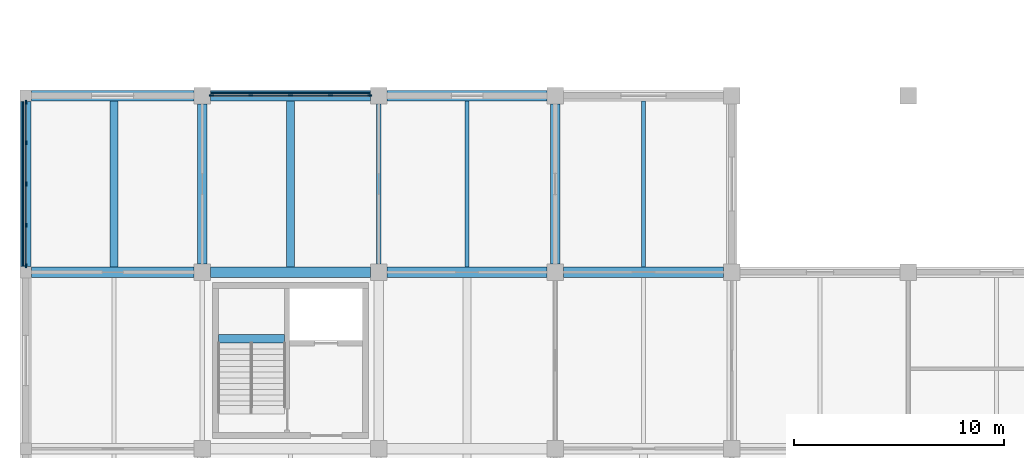
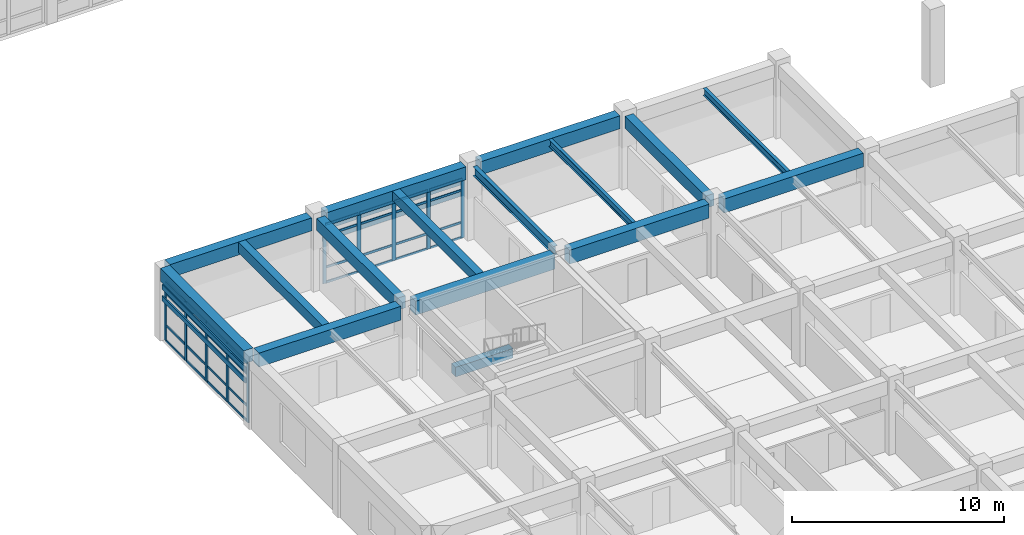
# One storey, part 21 of 99: 46 members, 16 beams, 2 elements without a shape of their own.
"""IFC4 building model written with IfcOpenShell, lengths in metres."""

from ifc_helpers import new_model, si_unit, direction, frame, origin, origin_2d, place, context, subcontext, project, spatial, rectangle, i_section, extrude, material, layer, layer_set, material_profile, profile_set, type_object, element, aggregate, save


model = new_model("IFC4")

# Units and contexts
model_context = context("Model", 3, precision=1e-05, world=origin(), true_north=direction((0.0, 1.0)))
body_context = subcontext(model_context, "Body", "Model", "MODEL_VIEW")
ifc_project = project(units=[si_unit("LENGTHUNIT", "METRE"), si_unit("AREAUNIT", "SQUARE_METRE"), si_unit("VOLUMEUNIT", "CUBIC_METRE"), si_unit("PLANEANGLEUNIT", "RADIAN"), si_unit("MASSUNIT", "GRAM", prefix="KILO")], contexts=[model_context])

# Site, building, storey
site_placement = place(None, origin())
site = spatial("IfcSite", under=ifc_project, at=site_placement, CompositionType="ELEMENT")
building_placement = place(site_placement, origin())
building = spatial("IfcBuilding", under=site, at=building_placement, Name="Porcellanite Civic Hall", CompositionType="ELEMENT")
storey_placement = place(building_placement, frame((0.0, 0.0, 5.760009765625)))
storey = spatial("IfcBuildingStorey", under=building, at=storey_placement, Name="L01", CompositionType="ELEMENT", Elevation=5.760009765625)

# Beams
ifc_material_1 = material(Name="Concrete N50 (50 MPa)", Category="concrete")
ifc_material_profile_1 = material_profile(ifc_material_1, rectangle(XDim=0.39990234375, YDim=0.550048828125, at=origin_2d()), Name="RC-400x550")
ifc_profile_set_1 = profile_set([ifc_material_profile_1], Name="Concrete N50 (50 MPa)")
beam_type_1 = type_object("IfcBeamType", Name="BM-RC550", PredefinedType="JOIST", material=ifc_profile_set_1)
beam_1_placement = place(storey_placement, frame((12.60009765625, 67.449462890625, 3.925048828125), z_axis=(0.0, 1.0, 0.0), x_axis=(-1.0, 0.0, 0.0)))
element("IfcBeam", 1, at=beam_1_placement, inside=storey, type_object=beam_type_1, Name="Secondary joist L01 2-9", PredefinedType="JOIST", context=body_context, shape_type="SweptSolid", body=[
    extrude(rectangle(XDim=0.39990234375, YDim=0.550048828125, at=origin_2d()), origin(), (0.0, 0.0, 1.0), 7.901123046875),
])
beam_2_placement = place(storey_placement, frame((9.180419921875, 64.02490234375, 1.885009765625), z_axis=(1.0, 0.0, 0.0), x_axis=(0.0, 1.0, 0.0)))
element("IfcBeam", 2, at=beam_2_placement, inside=storey, type_object=beam_type_1, Name="Stair landing beam C2 L01", PredefinedType="JOIST", context=body_context, shape_type="SweptSolid", body=[
    extrude(rectangle(XDim=0.39990234375, YDim=0.550048828125, at=origin_2d()), origin(), (0.0, 0.0, 1.0), 3.13916015625),
])
ifc_material_2 = material(Name="Concrete N50 (50 MPa)", Category="concrete")
ifc_material_profile_2 = material_profile(ifc_material_2, rectangle(XDim=0.39990234375, YDim=0.60009765625, at=origin_2d()), Name="RC-400x600")
ifc_profile_set_2 = profile_set([ifc_material_profile_2], Name="Concrete N50 (50 MPa)")
beam_type_2 = type_object("IfcBeamType", Name="BM-RC600", PredefinedType="JOIST", material=ifc_profile_set_2)
beam_3_placement = place(storey_placement, frame((4.199951171875, 67.449462890625, 3.89990234375), z_axis=(0.0, 1.0, 0.0), x_axis=(-1.0, 0.0, 0.0)))
element("IfcBeam", 3, at=beam_3_placement, inside=storey, type_object=beam_type_2, Name="Secondary joist L01 1-9", PredefinedType="JOIST", context=body_context, shape_type="SweptSolid", body=[
    extrude(rectangle(XDim=0.39990234375, YDim=0.60009765625, at=origin_2d()), origin(), (0.0, 0.0, 1.0), 7.901123046875),
])
ifc_material_3 = material(Name="Concrete N50 (50 MPa)", Category="concrete")
ifc_material_profile_3 = material_profile(ifc_material_3, rectangle(XDim=0.449951171875, YDim=0.699951171875, at=origin_2d()), Name="RC-450x700")
ifc_profile_set_3 = profile_set([ifc_material_profile_3], Name="Concrete N50 (50 MPa)")
beam_type_3 = type_object("IfcBeamType", Name="BM-RC700", PredefinedType="BEAM", material=ifc_profile_set_3)
for number, where, z_axis, x_axis, name in (
    (4, (8.39990234375, 67.599609375, 3.85009765625), (0.0, 1.0, 0.0), (-1.0, 0.0, 0.0), "Beam Y L01 2-9"),
    (5, (25.199951171875, 67.599609375, 3.85009765625), (0.0, 1.0, 0.0), (-1.0, 0.0, 0.0), "Beam Y L01 4-9"),
):
    element("IfcBeam", number, at=place(storey_placement, frame(where, z_axis=z_axis, x_axis=x_axis)), inside=storey, type_object=beam_type_3, Name=name, PredefinedType="BEAM", context=body_context, shape_type="SweptSolid", body=[
        extrude(rectangle(XDim=0.449951171875, YDim=0.699951171875, at=origin_2d()), origin(), (0.0, 0.0, 1.0), 7.600830078125),
    ])
ifc_material_4 = material(Name="Concrete N50 (50 MPa)", Category="concrete")
ifc_material_profile_4 = material_profile(ifc_material_4, rectangle(XDim=0.5, YDim=0.75, at=origin_2d()), Name="RC-500x750")
ifc_profile_set_4 = profile_set([ifc_material_profile_4], Name="Concrete N50 (50 MPa)")
beam_type_4 = type_object("IfcBeamType", Name="BM-RC750", PredefinedType="SPANDREL", material=ifc_profile_set_4)
beam_4_placement = place(storey_placement, frame((0.2744140625, 75.60009765625, 3.824951171875), z_axis=(1.0, 0.0, 0.0), x_axis=(0.0, 1.0, 0.0)))
element("IfcBeam", 6, at=beam_4_placement, inside=storey, type_object=beam_type_4, Name="Beam X L01 1-10", PredefinedType="SPANDREL", context=body_context, shape_type="SweptSolid", body=[
    extrude(rectangle(XDim=0.5, YDim=0.75, at=origin_2d()), origin(), (0.0, 0.0, 1.0), 7.72607421875),
])
beam_5_placement = place(storey_placement, frame((8.799560546875, 75.60009765625, 3.824951171875), z_axis=(1.0, 0.0, 0.0), x_axis=(0.0, 1.0, 0.0)))
element("IfcBeam", 7, at=beam_5_placement, inside=storey, type_object=beam_type_4, Name="Beam X L01 2-10", PredefinedType="SPANDREL", context=body_context, shape_type="SweptSolid", body=[
    extrude(rectangle(XDim=0.5, YDim=0.75, at=origin_2d()), origin(), (0.0, 0.0, 1.0), 7.600830078125),
])
beam_6_placement = place(storey_placement, frame((17.199462890625, 75.60009765625, 3.824951171875), z_axis=(1.0, 0.0, 0.0), x_axis=(0.0, 1.0, 0.0)))
element("IfcBeam", 8, at=beam_6_placement, inside=storey, type_object=beam_type_4, Name="Beam X L01 3-10", PredefinedType="SPANDREL", context=body_context, shape_type="SweptSolid", body=[
    extrude(rectangle(XDim=0.5, YDim=0.75, at=origin_2d()), origin(), (0.0, 0.0, 1.0), 7.60107421875),
])
beam_7_placement = place(storey_placement, frame((0.0, 67.474609375, 3.824951171875), z_axis=(0.0, 1.0, 0.0), x_axis=(-1.0, 0.0, 0.0)))
element("IfcBeam", 9, at=beam_7_placement, inside=storey, type_object=beam_type_4, Name="Beam Y L01 1-9", PredefinedType="SPANDREL", context=body_context, shape_type="SweptSolid", body=[
    extrude(rectangle(XDim=0.5, YDim=0.75, at=origin_2d()), origin(), (0.0, 0.0, 1.0), 7.850830078125),
])
ifc_material_5 = material(Name="Concrete N50 (50 MPa)", Category="concrete")
ifc_material_profile_5 = material_profile(ifc_material_5, rectangle(XDim=0.5, YDim=0.800048828125, at=origin_2d()), Name="RC-500x800")
ifc_profile_set_5 = profile_set([ifc_material_profile_5], Name="Concrete N50 (50 MPa)")
beam_type_5 = type_object("IfcBeamType", Name="BM-RC800", PredefinedType="BEAM", material=ifc_profile_set_5)
beam_8_placement = place(storey_placement, frame((0.2744140625, 67.199951171875, 3.800048828125), z_axis=(1.0, 0.0, 0.0), x_axis=(0.0, 1.0, 0.0)))
element("IfcBeam", 10, at=beam_8_placement, inside=storey, type_object=beam_type_5, Name="Beam X L01 1-9", PredefinedType="BEAM", context=body_context, shape_type="SweptSolid", body=[
    extrude(rectangle(XDim=0.5, YDim=0.800048828125, at=origin_2d()), origin(), (0.0, 0.0, 1.0), 7.72607421875),
])
beam_9_placement = place(storey_placement, frame((8.799560546875, 67.199951171875, 3.800048828125), z_axis=(1.0, 0.0, 0.0), x_axis=(0.0, 1.0, 0.0)))
element("IfcBeam", 11, at=beam_9_placement, inside=storey, type_object=beam_type_5, Name="Beam X L01 2-9", PredefinedType="BEAM", context=body_context, shape_type="SweptSolid", body=[
    extrude(rectangle(XDim=0.5, YDim=0.800048828125, at=origin_2d()), origin(), (0.0, 0.0, 1.0), 7.600830078125),
])
beam_10_placement = place(storey_placement, frame((17.199462890625, 67.199951171875, 3.800048828125), z_axis=(1.0, 0.0, 0.0), x_axis=(0.0, 1.0, 0.0)))
element("IfcBeam", 12, at=beam_10_placement, inside=storey, type_object=beam_type_5, Name="Beam X L01 3-9", PredefinedType="BEAM", context=body_context, shape_type="SweptSolid", body=[
    extrude(rectangle(XDim=0.5, YDim=0.800048828125, at=origin_2d()), origin(), (0.0, 0.0, 1.0), 7.60107421875),
])
beam_11_placement = place(storey_placement, frame((25.599609375, 67.199951171875, 3.800048828125), z_axis=(1.0, 0.0, 0.0), x_axis=(0.0, 1.0, 0.0)))
element("IfcBeam", 13, at=beam_11_placement, inside=storey, type_object=beam_type_5, Name="Beam X L01 4-9", PredefinedType="BEAM", context=body_context, shape_type="SweptSolid", body=[
    extrude(rectangle(XDim=0.5, YDim=0.800048828125, at=origin_2d()), origin(), (0.0, 0.0, 1.0), 7.600830078125),
])

# Curtain wall, members
ifc_material_6 = material(Name="Anodised aluminium and solar laminated glass", Category="aluminium")
ifc_layer = layer(ifc_material_6, 0.179931640625)
ifc_layer_set = layer_set([ifc_layer], Name="Anodised aluminium and solar laminated glass")
curtain_wall_type = type_object("IfcCurtainWallType", Name="CW-SYS05", PredefinedType="NOTDEFINED", material=ifc_layer_set)
curtain_wall_1_placement = place(storey_placement, origin())
curtain_wall_1 = element("IfcCurtainWall", 14, at=curtain_wall_1_placement, inside=storey, type_object=curtain_wall_type, Name="Curtain wall CW-063", PredefinedType="NOTDEFINED")
ifc_material_7 = material(Name="Anodised aluminium 6063-T6", Category="aluminium")
ifc_material_profile_6 = material_profile(ifc_material_7, rectangle(XDim=0.070068359375, YDim=0.199951171875, at=origin_2d()), Name="AL-70x200")
ifc_profile_set_6 = profile_set([ifc_material_profile_6], Name="Anodised aluminium 6063-T6")
member_type_1 = type_object("IfcMemberType", Name="CWM-05", PredefinedType="MULLION", material=ifc_profile_set_6)
member_1_placement = place(storey_placement, frame((0.0, 67.510986328125, 0.0), z_axis=(0.0, 0.0, 1.0), x_axis=(-1.0, 0.0, 0.0)))
member_1 = element("IfcMember", 15, at=member_1_placement, type_object=member_type_1, Name="CW-063 mullion 1", PredefinedType="MULLION", context=body_context, shape_type="SweptSolid", body=[
    extrude(rectangle(XDim=0.070068359375, YDim=0.199951171875, at=origin_2d()), origin(), (0.0, 0.0, 1.0), 3.39990234375),
])
member_2_placement = place(storey_placement, frame((0.0, 69.43798828125, 0.0), z_axis=(0.0, 0.0, 1.0), x_axis=(-1.0, 0.0, 0.0)))
member_2 = element("IfcMember", 16, at=member_2_placement, type_object=member_type_1, Name="CW-063 mullion 2", PredefinedType="MULLION", context=body_context, shape_type="SweptSolid", body=[
    extrude(rectangle(XDim=0.070068359375, YDim=0.199951171875, at=origin_2d()), origin(), (0.0, 0.0, 1.0), 3.39990234375),
])
member_3_placement = place(storey_placement, frame((0.0, 71.39990234375, 0.0), z_axis=(0.0, 0.0, 1.0), x_axis=(-1.0, 0.0, 0.0)))
member_3 = element("IfcMember", 17, at=member_3_placement, type_object=member_type_1, Name="CW-063 mullion 3", PredefinedType="MULLION", context=body_context, shape_type="SweptSolid", body=[
    extrude(rectangle(XDim=0.070068359375, YDim=0.199951171875, at=origin_2d()), origin(), (0.0, 0.0, 1.0), 3.39990234375),
])
member_4_placement = place(storey_placement, frame((0.0, 73.362060546875, 0.0), z_axis=(0.0, 0.0, 1.0), x_axis=(-1.0, 0.0, 0.0)))
member_4 = element("IfcMember", 18, at=member_4_placement, type_object=member_type_1, Name="CW-063 mullion 4", PredefinedType="MULLION", context=body_context, shape_type="SweptSolid", body=[
    extrude(rectangle(XDim=0.070068359375, YDim=0.199951171875, at=origin_2d()), origin(), (0.0, 0.0, 1.0), 3.39990234375),
])
member_5_placement = place(storey_placement, frame((0.0, 75.2890625, 0.0), z_axis=(0.0, 0.0, 1.0), x_axis=(-1.0, 0.0, 0.0)))
member_5 = element("IfcMember", 19, at=member_5_placement, type_object=member_type_1, Name="CW-063 mullion 5", PredefinedType="MULLION", context=body_context, shape_type="SweptSolid", body=[
    extrude(rectangle(XDim=0.070068359375, YDim=0.199951171875, at=origin_2d()), origin(), (0.0, 0.0, 1.0), 3.39990234375),
])

curtain_wall_2_placement = place(storey_placement, origin())
curtain_wall_2 = element("IfcCurtainWall", 20, at=curtain_wall_2_placement, inside=storey, type_object=curtain_wall_type, Name="Curtain wall CW-066", PredefinedType="NOTDEFINED")
member_6_placement = place(storey_placement, frame((8.8359375, 75.60009765625, 0.0), z_axis=(0.0, 0.0, 1.0), x_axis=(0.0, 1.0, 0.0)))
member_6 = element("IfcMember", 21, at=member_6_placement, type_object=member_type_1, Name="CW-066 mullion 1", PredefinedType="MULLION", context=body_context, shape_type="SweptSolid", body=[
    extrude(rectangle(XDim=0.070068359375, YDim=0.199951171875, at=origin_2d()), origin(), (0.0, 0.0, 1.0), 3.39990234375),
])
member_7_placement = place(storey_placement, frame((10.700439453125, 75.60009765625, 0.0), z_axis=(0.0, 0.0, 1.0), x_axis=(0.0, 1.0, 0.0)))
member_7 = element("IfcMember", 22, at=member_7_placement, type_object=member_type_1, Name="CW-066 mullion 2", PredefinedType="MULLION", context=body_context, shape_type="SweptSolid", body=[
    extrude(rectangle(XDim=0.070068359375, YDim=0.199951171875, at=origin_2d()), origin(), (0.0, 0.0, 1.0), 3.39990234375),
])
member_8_placement = place(storey_placement, frame((12.60009765625, 75.60009765625, 0.0), z_axis=(0.0, 0.0, 1.0), x_axis=(0.0, 1.0, 0.0)))
member_8 = element("IfcMember", 23, at=member_8_placement, type_object=member_type_1, Name="CW-066 mullion 3", PredefinedType="MULLION", context=body_context, shape_type="SweptSolid", body=[
    extrude(rectangle(XDim=0.070068359375, YDim=0.199951171875, at=origin_2d()), origin(), (0.0, 0.0, 1.0), 3.39990234375),
])
member_9_placement = place(storey_placement, frame((14.49951171875, 75.60009765625, 0.0), z_axis=(0.0, 0.0, 1.0), x_axis=(0.0, 1.0, 0.0)))
member_9 = element("IfcMember", 24, at=member_9_placement, type_object=member_type_1, Name="CW-066 mullion 4", PredefinedType="MULLION", context=body_context, shape_type="SweptSolid", body=[
    extrude(rectangle(XDim=0.070068359375, YDim=0.199951171875, at=origin_2d()), origin(), (0.0, 0.0, 1.0), 3.39990234375),
])
member_10_placement = place(storey_placement, frame((16.364013671875, 75.60009765625, 0.0), z_axis=(0.0, 0.0, 1.0), x_axis=(0.0, 1.0, 0.0)))
member_10 = element("IfcMember", 25, at=member_10_placement, type_object=member_type_1, Name="CW-066 mullion 5", PredefinedType="MULLION", context=body_context, shape_type="SweptSolid", body=[
    extrude(rectangle(XDim=0.070068359375, YDim=0.199951171875, at=origin_2d()), origin(), (0.0, 0.0, 1.0), 3.39990234375),
])

# Member
ifc_material_8 = material(Name="Anodised aluminium 6063-T6", Category="aluminium")
ifc_material_profile_7 = material_profile(ifc_material_8, rectangle(XDim=0.06005859375, YDim=0.1298828125, at=origin_2d()), Name="AL-60x130")
ifc_profile_set_7 = profile_set([ifc_material_profile_7], Name="Anodised aluminium 6063-T6")
member_type_2 = type_object("IfcMemberType", Name="CWT-03", PredefinedType="USERDEFINED", material=ifc_profile_set_7)
member_11_placement = place(storey_placement, frame((0.0, 67.5458984375, 0.030029296875), z_axis=(0.0, 1.0, 0.0), x_axis=(-1.0, 0.0, 0.0)))
member_11 = element("IfcMember", 26, at=member_11_placement, type_object=member_type_2, Name="CW-063 transom 1.1", ObjectType="TRANSOM", PredefinedType="USERDEFINED", context=body_context, shape_type="SweptSolid", body=[
    extrude(rectangle(XDim=0.06005859375, YDim=0.1298828125, at=origin_2d()), origin(), (0.0, 0.0, 1.0), 1.857177734375),
])

member_12_placement = place(storey_placement, frame((0.0, 67.5458984375, 0.89990234375), z_axis=(0.0, 1.0, 0.0), x_axis=(-1.0, 0.0, 0.0)))
member_12 = element("IfcMember", 27, at=member_12_placement, type_object=member_type_2, Name="CW-063 transom 1.2", ObjectType="TRANSOM", PredefinedType="USERDEFINED", context=body_context, shape_type="SweptSolid", body=[
    extrude(rectangle(XDim=0.06005859375, YDim=0.1298828125, at=origin_2d()), origin(), (0.0, 0.0, 1.0), 1.857177734375),
])

member_13_placement = place(storey_placement, frame((0.0, 67.5458984375, 2.75), z_axis=(0.0, 1.0, 0.0), x_axis=(-1.0, 0.0, 0.0)))
member_13 = element("IfcMember", 28, at=member_13_placement, type_object=member_type_2, Name="CW-063 transom 1.3", ObjectType="TRANSOM", PredefinedType="USERDEFINED", context=body_context, shape_type="SweptSolid", body=[
    extrude(rectangle(XDim=0.06005859375, YDim=0.1298828125, at=origin_2d()), origin(), (0.0, 0.0, 1.0), 1.857177734375),
])

member_14_placement = place(storey_placement, frame((0.0, 67.5458984375, 3.369873046875), z_axis=(0.0, 1.0, 0.0), x_axis=(-1.0, 0.0, 0.0)))
member_14 = element("IfcMember", 29, at=member_14_placement, type_object=member_type_2, Name="CW-063 transom 1.4", ObjectType="TRANSOM", PredefinedType="USERDEFINED", context=body_context, shape_type="SweptSolid", body=[
    extrude(rectangle(XDim=0.06005859375, YDim=0.1298828125, at=origin_2d()), origin(), (0.0, 0.0, 1.0), 1.857177734375),
])

member_15_placement = place(storey_placement, frame((0.0, 69.472900390625, 0.030029296875), z_axis=(0.0, 1.0, 0.0), x_axis=(-1.0, 0.0, 0.0)))
member_15 = element("IfcMember", 30, at=member_15_placement, type_object=member_type_2, Name="CW-063 transom 2.1", ObjectType="TRANSOM", PredefinedType="USERDEFINED", context=body_context, shape_type="SweptSolid", body=[
    extrude(rectangle(XDim=0.06005859375, YDim=0.1298828125, at=origin_2d()), origin(), (0.0, 0.0, 1.0), 1.89208984375),
])

member_16_placement = place(storey_placement, frame((0.0, 69.472900390625, 0.89990234375), z_axis=(0.0, 1.0, 0.0), x_axis=(-1.0, 0.0, 0.0)))
member_16 = element("IfcMember", 31, at=member_16_placement, type_object=member_type_2, Name="CW-063 transom 2.2", ObjectType="TRANSOM", PredefinedType="USERDEFINED", context=body_context, shape_type="SweptSolid", body=[
    extrude(rectangle(XDim=0.06005859375, YDim=0.1298828125, at=origin_2d()), origin(), (0.0, 0.0, 1.0), 1.89208984375),
])

member_17_placement = place(storey_placement, frame((0.0, 69.472900390625, 2.75), z_axis=(0.0, 1.0, 0.0), x_axis=(-1.0, 0.0, 0.0)))
member_17 = element("IfcMember", 32, at=member_17_placement, type_object=member_type_2, Name="CW-063 transom 2.3", ObjectType="TRANSOM", PredefinedType="USERDEFINED", context=body_context, shape_type="SweptSolid", body=[
    extrude(rectangle(XDim=0.06005859375, YDim=0.1298828125, at=origin_2d()), origin(), (0.0, 0.0, 1.0), 1.89208984375),
])

member_18_placement = place(storey_placement, frame((0.0, 69.472900390625, 3.369873046875), z_axis=(0.0, 1.0, 0.0), x_axis=(-1.0, 0.0, 0.0)))
member_18 = element("IfcMember", 33, at=member_18_placement, type_object=member_type_2, Name="CW-063 transom 2.4", ObjectType="TRANSOM", PredefinedType="USERDEFINED", context=body_context, shape_type="SweptSolid", body=[
    extrude(rectangle(XDim=0.06005859375, YDim=0.1298828125, at=origin_2d()), origin(), (0.0, 0.0, 1.0), 1.89208984375),
])

member_19_placement = place(storey_placement, frame((0.0, 71.43505859375, 0.030029296875), z_axis=(0.0, 1.0, 0.0), x_axis=(-1.0, 0.0, 0.0)))
member_19 = element("IfcMember", 34, at=member_19_placement, type_object=member_type_2, Name="CW-063 transom 3.1", ObjectType="TRANSOM", PredefinedType="USERDEFINED", context=body_context, shape_type="SweptSolid", body=[
    extrude(rectangle(XDim=0.06005859375, YDim=0.1298828125, at=origin_2d()), origin(), (0.0, 0.0, 1.0), 1.891845703125),
])

member_20_placement = place(storey_placement, frame((0.0, 71.43505859375, 0.89990234375), z_axis=(0.0, 1.0, 0.0), x_axis=(-1.0, 0.0, 0.0)))
member_20 = element("IfcMember", 35, at=member_20_placement, type_object=member_type_2, Name="CW-063 transom 3.2", ObjectType="TRANSOM", PredefinedType="USERDEFINED", context=body_context, shape_type="SweptSolid", body=[
    extrude(rectangle(XDim=0.06005859375, YDim=0.1298828125, at=origin_2d()), origin(), (0.0, 0.0, 1.0), 1.891845703125),
])

member_21_placement = place(storey_placement, frame((0.0, 71.43505859375, 2.75), z_axis=(0.0, 1.0, 0.0), x_axis=(-1.0, 0.0, 0.0)))
member_21 = element("IfcMember", 36, at=member_21_placement, type_object=member_type_2, Name="CW-063 transom 3.3", ObjectType="TRANSOM", PredefinedType="USERDEFINED", context=body_context, shape_type="SweptSolid", body=[
    extrude(rectangle(XDim=0.06005859375, YDim=0.1298828125, at=origin_2d()), origin(), (0.0, 0.0, 1.0), 1.891845703125),
])

member_22_placement = place(storey_placement, frame((0.0, 71.43505859375, 3.369873046875), z_axis=(0.0, 1.0, 0.0), x_axis=(-1.0, 0.0, 0.0)))
member_22 = element("IfcMember", 37, at=member_22_placement, type_object=member_type_2, Name="CW-063 transom 3.4", ObjectType="TRANSOM", PredefinedType="USERDEFINED", context=body_context, shape_type="SweptSolid", body=[
    extrude(rectangle(XDim=0.06005859375, YDim=0.1298828125, at=origin_2d()), origin(), (0.0, 0.0, 1.0), 1.891845703125),
])

member_23_placement = place(storey_placement, frame((0.0, 73.39697265625, 0.030029296875), z_axis=(0.0, 1.0, 0.0), x_axis=(-1.0, 0.0, 0.0)))
member_23 = element("IfcMember", 38, at=member_23_placement, type_object=member_type_2, Name="CW-063 transom 4.1", ObjectType="TRANSOM", PredefinedType="USERDEFINED", context=body_context, shape_type="SweptSolid", body=[
    extrude(rectangle(XDim=0.06005859375, YDim=0.1298828125, at=origin_2d()), origin(), (0.0, 0.0, 1.0), 1.85693359375),
])

member_24_placement = place(storey_placement, frame((0.0, 73.39697265625, 0.89990234375), z_axis=(0.0, 1.0, 0.0), x_axis=(-1.0, 0.0, 0.0)))
member_24 = element("IfcMember", 39, at=member_24_placement, type_object=member_type_2, Name="CW-063 transom 4.2", ObjectType="TRANSOM", PredefinedType="USERDEFINED", context=body_context, shape_type="SweptSolid", body=[
    extrude(rectangle(XDim=0.06005859375, YDim=0.1298828125, at=origin_2d()), origin(), (0.0, 0.0, 1.0), 1.85693359375),
])

member_25_placement = place(storey_placement, frame((0.0, 73.39697265625, 2.75), z_axis=(0.0, 1.0, 0.0), x_axis=(-1.0, 0.0, 0.0)))
member_25 = element("IfcMember", 40, at=member_25_placement, type_object=member_type_2, Name="CW-063 transom 4.3", ObjectType="TRANSOM", PredefinedType="USERDEFINED", context=body_context, shape_type="SweptSolid", body=[
    extrude(rectangle(XDim=0.06005859375, YDim=0.1298828125, at=origin_2d()), origin(), (0.0, 0.0, 1.0), 1.85693359375),
])

member_26_placement = place(storey_placement, frame((0.0, 73.39697265625, 3.369873046875), z_axis=(0.0, 1.0, 0.0), x_axis=(-1.0, 0.0, 0.0)))
member_26 = element("IfcMember", 41, at=member_26_placement, type_object=member_type_2, Name="CW-063 transom 4.4", ObjectType="TRANSOM", PredefinedType="USERDEFINED", context=body_context, shape_type="SweptSolid", body=[
    extrude(rectangle(XDim=0.06005859375, YDim=0.1298828125, at=origin_2d()), origin(), (0.0, 0.0, 1.0), 1.85693359375),
])

aggregate(curtain_wall_1, [member_1, member_2, member_3, member_4, member_5, member_11, member_12, member_13, member_14, member_15, member_16, member_17, member_18, member_19, member_20, member_21, member_22, member_23, member_24, member_25, member_26])

member_27_placement = place(storey_placement, frame((8.87109375, 75.60009765625, 0.030029296875), z_axis=(1.0, 0.0, 0.0), x_axis=(0.0, 1.0, 0.0)))
member_27 = element("IfcMember", 42, at=member_27_placement, type_object=member_type_2, Name="CW-066 transom 1.1", ObjectType="TRANSOM", PredefinedType="USERDEFINED", context=body_context, shape_type="SweptSolid", body=[
    extrude(rectangle(XDim=0.06005859375, YDim=0.1298828125, at=origin_2d()), origin(), (0.0, 0.0, 1.0), 1.79443359375),
])

member_28_placement = place(storey_placement, frame((8.87109375, 75.60009765625, 0.89990234375), z_axis=(1.0, 0.0, 0.0), x_axis=(0.0, 1.0, 0.0)))
member_28 = element("IfcMember", 43, at=member_28_placement, type_object=member_type_2, Name="CW-066 transom 1.2", ObjectType="TRANSOM", PredefinedType="USERDEFINED", context=body_context, shape_type="SweptSolid", body=[
    extrude(rectangle(XDim=0.06005859375, YDim=0.1298828125, at=origin_2d()), origin(), (0.0, 0.0, 1.0), 1.79443359375),
])

member_29_placement = place(storey_placement, frame((8.87109375, 75.60009765625, 2.75), z_axis=(1.0, 0.0, 0.0), x_axis=(0.0, 1.0, 0.0)))
member_29 = element("IfcMember", 44, at=member_29_placement, type_object=member_type_2, Name="CW-066 transom 1.3", ObjectType="TRANSOM", PredefinedType="USERDEFINED", context=body_context, shape_type="SweptSolid", body=[
    extrude(rectangle(XDim=0.06005859375, YDim=0.1298828125, at=origin_2d()), origin(), (0.0, 0.0, 1.0), 1.79443359375),
])

member_30_placement = place(storey_placement, frame((8.87109375, 75.60009765625, 3.369873046875), z_axis=(1.0, 0.0, 0.0), x_axis=(0.0, 1.0, 0.0)))
member_30 = element("IfcMember", 45, at=member_30_placement, type_object=member_type_2, Name="CW-066 transom 1.4", ObjectType="TRANSOM", PredefinedType="USERDEFINED", context=body_context, shape_type="SweptSolid", body=[
    extrude(rectangle(XDim=0.06005859375, YDim=0.1298828125, at=origin_2d()), origin(), (0.0, 0.0, 1.0), 1.79443359375),
])

member_31_placement = place(storey_placement, frame((10.735595703125, 75.60009765625, 0.030029296875), z_axis=(1.0, 0.0, 0.0), x_axis=(0.0, 1.0, 0.0)))
member_31 = element("IfcMember", 46, at=member_31_placement, type_object=member_type_2, Name="CW-066 transom 2.1", ObjectType="TRANSOM", PredefinedType="USERDEFINED", context=body_context, shape_type="SweptSolid", body=[
    extrude(rectangle(XDim=0.06005859375, YDim=0.1298828125, at=origin_2d()), origin(), (0.0, 0.0, 1.0), 1.829345703125),
])

member_32_placement = place(storey_placement, frame((10.735595703125, 75.60009765625, 0.89990234375), z_axis=(1.0, 0.0, 0.0), x_axis=(0.0, 1.0, 0.0)))
member_32 = element("IfcMember", 47, at=member_32_placement, type_object=member_type_2, Name="CW-066 transom 2.2", ObjectType="TRANSOM", PredefinedType="USERDEFINED", context=body_context, shape_type="SweptSolid", body=[
    extrude(rectangle(XDim=0.06005859375, YDim=0.1298828125, at=origin_2d()), origin(), (0.0, 0.0, 1.0), 1.829345703125),
])

member_33_placement = place(storey_placement, frame((10.735595703125, 75.60009765625, 2.75), z_axis=(1.0, 0.0, 0.0), x_axis=(0.0, 1.0, 0.0)))
member_33 = element("IfcMember", 48, at=member_33_placement, type_object=member_type_2, Name="CW-066 transom 2.3", ObjectType="TRANSOM", PredefinedType="USERDEFINED", context=body_context, shape_type="SweptSolid", body=[
    extrude(rectangle(XDim=0.06005859375, YDim=0.1298828125, at=origin_2d()), origin(), (0.0, 0.0, 1.0), 1.829345703125),
])

member_34_placement = place(storey_placement, frame((10.735595703125, 75.60009765625, 3.369873046875), z_axis=(1.0, 0.0, 0.0), x_axis=(0.0, 1.0, 0.0)))
member_34 = element("IfcMember", 49, at=member_34_placement, type_object=member_type_2, Name="CW-066 transom 2.4", ObjectType="TRANSOM", PredefinedType="USERDEFINED", context=body_context, shape_type="SweptSolid", body=[
    extrude(rectangle(XDim=0.06005859375, YDim=0.1298828125, at=origin_2d()), origin(), (0.0, 0.0, 1.0), 1.829345703125),
])

member_35_placement = place(storey_placement, frame((12.635009765625, 75.60009765625, 0.030029296875), z_axis=(1.0, 0.0, 0.0), x_axis=(0.0, 1.0, 0.0)))
member_35 = element("IfcMember", 50, at=member_35_placement, type_object=member_type_2, Name="CW-066 transom 3.1", ObjectType="TRANSOM", PredefinedType="USERDEFINED", context=body_context, shape_type="SweptSolid", body=[
    extrude(rectangle(XDim=0.06005859375, YDim=0.1298828125, at=origin_2d()), origin(), (0.0, 0.0, 1.0), 1.82958984375),
])

member_36_placement = place(storey_placement, frame((12.635009765625, 75.60009765625, 0.89990234375), z_axis=(1.0, 0.0, 0.0), x_axis=(0.0, 1.0, 0.0)))
member_36 = element("IfcMember", 51, at=member_36_placement, type_object=member_type_2, Name="CW-066 transom 3.2", ObjectType="TRANSOM", PredefinedType="USERDEFINED", context=body_context, shape_type="SweptSolid", body=[
    extrude(rectangle(XDim=0.06005859375, YDim=0.1298828125, at=origin_2d()), origin(), (0.0, 0.0, 1.0), 1.82958984375),
])

member_37_placement = place(storey_placement, frame((12.635009765625, 75.60009765625, 2.75), z_axis=(1.0, 0.0, 0.0), x_axis=(0.0, 1.0, 0.0)))
member_37 = element("IfcMember", 52, at=member_37_placement, type_object=member_type_2, Name="CW-066 transom 3.3", ObjectType="TRANSOM", PredefinedType="USERDEFINED", context=body_context, shape_type="SweptSolid", body=[
    extrude(rectangle(XDim=0.06005859375, YDim=0.1298828125, at=origin_2d()), origin(), (0.0, 0.0, 1.0), 1.82958984375),
])

member_38_placement = place(storey_placement, frame((12.635009765625, 75.60009765625, 3.369873046875), z_axis=(1.0, 0.0, 0.0), x_axis=(0.0, 1.0, 0.0)))
member_38 = element("IfcMember", 53, at=member_38_placement, type_object=member_type_2, Name="CW-066 transom 3.4", ObjectType="TRANSOM", PredefinedType="USERDEFINED", context=body_context, shape_type="SweptSolid", body=[
    extrude(rectangle(XDim=0.06005859375, YDim=0.1298828125, at=origin_2d()), origin(), (0.0, 0.0, 1.0), 1.82958984375),
])

member_39_placement = place(storey_placement, frame((14.534423828125, 75.60009765625, 0.030029296875), z_axis=(1.0, 0.0, 0.0), x_axis=(0.0, 1.0, 0.0)))
member_39 = element("IfcMember", 54, at=member_39_placement, type_object=member_type_2, Name="CW-066 transom 4.1", ObjectType="TRANSOM", PredefinedType="USERDEFINED", context=body_context, shape_type="SweptSolid", body=[
    extrude(rectangle(XDim=0.06005859375, YDim=0.1298828125, at=origin_2d()), origin(), (0.0, 0.0, 1.0), 1.794677734375),
])

member_40_placement = place(storey_placement, frame((14.534423828125, 75.60009765625, 0.89990234375), z_axis=(1.0, 0.0, 0.0), x_axis=(0.0, 1.0, 0.0)))
member_40 = element("IfcMember", 55, at=member_40_placement, type_object=member_type_2, Name="CW-066 transom 4.2", ObjectType="TRANSOM", PredefinedType="USERDEFINED", context=body_context, shape_type="SweptSolid", body=[
    extrude(rectangle(XDim=0.06005859375, YDim=0.1298828125, at=origin_2d()), origin(), (0.0, 0.0, 1.0), 1.794677734375),
])

member_41_placement = place(storey_placement, frame((14.534423828125, 75.60009765625, 2.75), z_axis=(1.0, 0.0, 0.0), x_axis=(0.0, 1.0, 0.0)))
member_41 = element("IfcMember", 56, at=member_41_placement, type_object=member_type_2, Name="CW-066 transom 4.3", ObjectType="TRANSOM", PredefinedType="USERDEFINED", context=body_context, shape_type="SweptSolid", body=[
    extrude(rectangle(XDim=0.06005859375, YDim=0.1298828125, at=origin_2d()), origin(), (0.0, 0.0, 1.0), 1.794677734375),
])

member_42_placement = place(storey_placement, frame((14.534423828125, 75.60009765625, 3.369873046875), z_axis=(1.0, 0.0, 0.0), x_axis=(0.0, 1.0, 0.0)))
member_42 = element("IfcMember", 57, at=member_42_placement, type_object=member_type_2, Name="CW-066 transom 4.4", ObjectType="TRANSOM", PredefinedType="USERDEFINED", context=body_context, shape_type="SweptSolid", body=[
    extrude(rectangle(XDim=0.06005859375, YDim=0.1298828125, at=origin_2d()), origin(), (0.0, 0.0, 1.0), 1.794677734375),
])

aggregate(curtain_wall_2, [member_6, member_7, member_8, member_9, member_10, member_27, member_28, member_29, member_30, member_31, member_32, member_33, member_34, member_35, member_36, member_37, member_38, member_39, member_40, member_41, member_42])

# Beams
ifc_material_9 = material(Name="Steel Grade 350", Category="steel")
ifc_material_profile_8 = material_profile(ifc_material_9, i_section(OverallWidth=0.177978515625, OverallDepth=0.403076171875, WebThickness=0.007568359375, FlangeThickness=0.010986328125, FilletRadius=0.011474609375, at=origin_2d()), Name="410UB53.7")
ifc_profile_set_8 = profile_set([ifc_material_profile_8], Name="Steel Grade 350")
beam_type_6 = type_object("IfcBeamType", Name="JST-410UB54", PredefinedType="JOIST", material=ifc_profile_set_8)
beam_12_placement = place(storey_placement, frame((29.39990234375, 67.449462890625, 3.99853515625), z_axis=(0.0, 1.0, 0.0), x_axis=(-1.0, 0.0, 0.0)))
element("IfcBeam", 58, at=beam_12_placement, inside=storey, type_object=beam_type_6, Name="Secondary joist L01 4-9", PredefinedType="JOIST", context=body_context, shape_type="SweptSolid", body=[
    extrude(i_section(OverallWidth=0.177978515625, OverallDepth=0.403076171875, WebThickness=0.007568359375, FlangeThickness=0.010986328125, FilletRadius=0.011474609375, at=origin_2d()), origin(), (0.0, 0.0, 1.0), 7.901123046875),
])
ifc_material_10 = material(Name="Steel Grade 350", Category="steel")
ifc_material_profile_9 = material_profile(ifc_material_10, i_section(OverallWidth=0.177978515625, OverallDepth=0.406005859375, WebThickness=0.0078125, FlangeThickness=0.0126953125, FilletRadius=0.011474609375, at=origin_2d()), Name="410UB59.7")
ifc_profile_set_9 = profile_set([ifc_material_profile_9], Name="Steel Grade 350")
beam_type_7 = type_object("IfcBeamType", Name="JST-410UB60", PredefinedType="JOIST", material=ifc_profile_set_9)
beam_13_placement = place(storey_placement, frame((21.0, 67.449462890625, 3.9970703125), z_axis=(0.0, 1.0, 0.0), x_axis=(-1.0, 0.0, 0.0)))
element("IfcBeam", 59, at=beam_13_placement, inside=storey, type_object=beam_type_7, Name="Secondary joist L01 3-9", PredefinedType="JOIST", context=body_context, shape_type="SweptSolid", body=[
    extrude(i_section(OverallWidth=0.177978515625, OverallDepth=0.406005859375, WebThickness=0.0078125, FlangeThickness=0.0126953125, FilletRadius=0.011474609375, at=origin_2d()), origin(), (0.0, 0.0, 1.0), 7.901123046875),
])

# Members
ifc_material_11 = material(Name="Fluoropolymer bauxite-red aluminium 6063-T6", Category="aluminium")
ifc_material_profile_10 = material_profile(ifc_material_11, rectangle(XDim=0.070068359375, YDim=0.280029296875, at=origin_2d()), Name="AL-70x280")
ifc_profile_set_10 = profile_set([ifc_material_profile_10], Name="Fluoropolymer bauxite-red aluminium 6063-T6")
member_type_3 = type_object("IfcMemberType", Name="LV-BLD05", PredefinedType="USERDEFINED", material=ifc_profile_set_10)
for number, where, z_axis, x_axis, name in (
    (60, (-0.136962890625, 67.474609375, 3.10009765625), (0.0, 1.0, 0.0), (-1.0, 0.0, 0.0), "Cyclone sunshade louvre L01 W 0-8 1"),
    (61, (-0.136962890625, 67.474609375, 2.449951171875), (0.0, 1.0, 0.0), (-1.0, 0.0, 0.0), "Cyclone sunshade louvre L01 W 0-8 2"),
):
    element("IfcMember", number, at=place(storey_placement, frame(where, z_axis=z_axis, x_axis=x_axis)), inside=storey, type_object=member_type_3, Name=name, ObjectType="LOUVRE BLADE", PredefinedType="USERDEFINED", context=body_context, shape_type="SweptSolid", body=[
        extrude(rectangle(XDim=0.070068359375, YDim=0.280029296875, at=origin_2d()), origin(), (0.0, 0.0, 1.0), 7.850830078125),
    ])
for number, where, z_axis, x_axis, name in (
    (62, (8.799560546875, 75.737060546875, 3.10009765625), (1.0, 0.0, 0.0), (0.0, 1.0, 0.0), "Cyclone sunshade louvre L01 N 1-8 1"),
    (63, (8.799560546875, 75.737060546875, 2.449951171875), (1.0, 0.0, 0.0), (0.0, 1.0, 0.0), "Cyclone sunshade louvre L01 N 1-8 2"),
):
    element("IfcMember", number, at=place(storey_placement, frame(where, z_axis=z_axis, x_axis=x_axis)), inside=storey, type_object=member_type_3, Name=name, ObjectType="LOUVRE BLADE", PredefinedType="USERDEFINED", context=body_context, shape_type="SweptSolid", body=[
        extrude(rectangle(XDim=0.070068359375, YDim=0.280029296875, at=origin_2d()), origin(), (0.0, 0.0, 1.0), 7.600830078125),
    ])

# Beam
ifc_material_12 = material(Name="Steel Grade 350", Category="steel")
ifc_material_profile_11 = material_profile(ifc_material_12, i_section(OverallWidth=0.208984375, OverallDepth=0.528076171875, WebThickness=0.009521484375, FlangeThickness=0.01318359375, FilletRadius=0.013916015625, at=origin_2d()), Name="530UB82.0")
ifc_profile_set_11 = profile_set([ifc_material_profile_11], Name="Steel Grade 350")
beam_type_8 = type_object("IfcBeamType", Name="RAF-530UB82", PredefinedType="BEAM", material=ifc_profile_set_11)
beam_14_placement = place(storey_placement, frame((16.800048828125, 67.599609375, 3.93603515625), z_axis=(0.0, 1.0, 0.0), x_axis=(-1.0, 0.0, 0.0)))
element("IfcBeam", 64, at=beam_14_placement, inside=storey, type_object=beam_type_8, Name="Beam Y L01 3-9", PredefinedType="BEAM", context=body_context, shape_type="SweptSolid", body=[
    extrude(i_section(OverallWidth=0.208984375, OverallDepth=0.528076171875, WebThickness=0.009521484375, FlangeThickness=0.01318359375, FilletRadius=0.013916015625, at=origin_2d()), origin(), (0.0, 0.0, 1.0), 7.600830078125),
])

save(model, "model.ifc")
